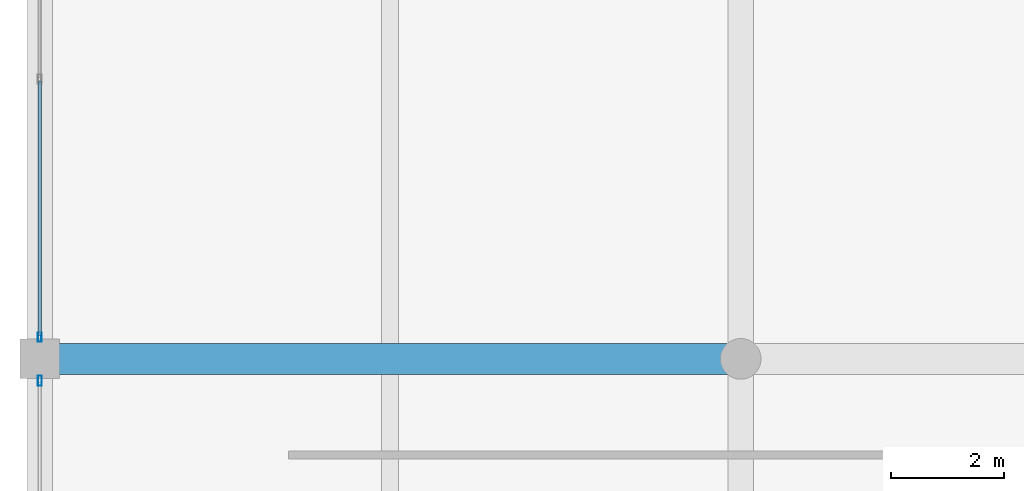
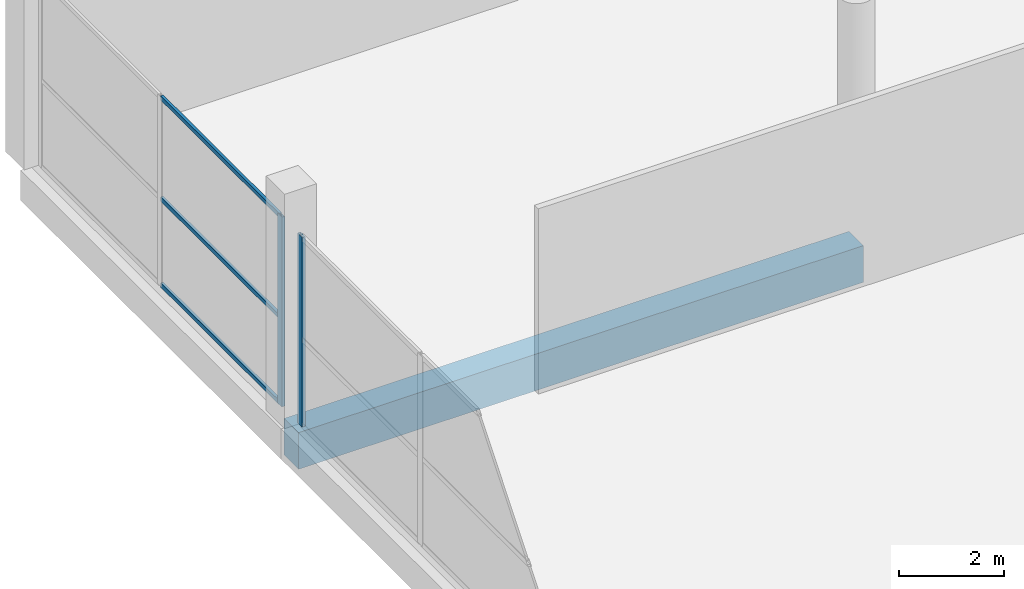
# One storey, part 27 of 74: 5 members, 1 beam, 2 elements without a shape of their own.
"""IFC4 building model written with IfcOpenShell, lengths in metres."""

from ifc_helpers import new_model, si_unit, direction, frame, origin, origin_2d, place, context, subcontext, project, spatial, rectangle, hollow_rectangle, extrude, material, layer, layer_set, material_profile, profile_set, type_object, element, aggregate, save


model = new_model("IFC4")

# Units and contexts
model_context = context("Model", 3, precision=1e-05, world=origin(), true_north=direction((0.0, 1.0)))
body_context = subcontext(model_context, "Body", "Model", "MODEL_VIEW")
ifc_project = project(units=[si_unit("LENGTHUNIT", "METRE"), si_unit("AREAUNIT", "SQUARE_METRE"), si_unit("VOLUMEUNIT", "CUBIC_METRE"), si_unit("PLANEANGLEUNIT", "RADIAN"), si_unit("MASSUNIT", "GRAM", prefix="KILO")], contexts=[model_context])

# Site, building, storey
site_placement = place(None, origin())
site = spatial("IfcSite", under=ifc_project, at=site_placement, CompositionType="ELEMENT")
building_placement = place(site_placement, origin())
building = spatial("IfcBuilding", under=site, at=building_placement, Name="Sillaruma Civic Art Gallery", CompositionType="ELEMENT")
storey_placement = place(building_placement, frame((0.0, 0.0, 5.43994140625)))
storey = spatial("IfcBuildingStorey", under=building, at=storey_placement, Name="L01", CompositionType="ELEMENT", Elevation=5.43994140625)

# Beam
ifc_material_1 = material(Name="Concrete H40 (40 MPa)", Category="concrete")
ifc_material_profile_1 = material_profile(ifc_material_1, rectangle(XDim=0.550048828125, YDim=0.85009765625, at=origin_2d()), Name="RCB550x850")
ifc_profile_set_1 = profile_set([ifc_material_profile_1], Name="Concrete H40 (40 MPa)")
beam_type = type_object("IfcBeamType", Name="BM-BEAM-RCB550x850", PredefinedType="BEAM", material=ifc_profile_set_1)
beam_placement = place(storey_placement, frame((0.0, 108.89990234375, -0.68505859375), z_axis=(1.0, 0.0, 0.0), x_axis=(0.0, 1.0, 0.0)))
element("IfcBeam", 1, at=beam_placement, inside=storey, type_object=beam_type, Name="Beam BM-01 (L00:12:A-B)", PredefinedType="BEAM", context=body_context, shape_type="SweptSolid", body=[
    extrude(rectangle(XDim=0.550048828125, YDim=0.85009765625, at=origin_2d()), origin(), (0.0, 0.0, 1.0), 12.39990234375),
])

# Curtain wall, member
ifc_material_2 = material(Name="Thermally Broken Extruded Aluminium 6063-T6", Category="aluminium")
ifc_layer_1 = layer(ifc_material_2, 0.159912109375, Name="Thermally Broken Extruded Aluminium 6063-T6")
ifc_layer_set_1 = layer_set([ifc_layer_1], Name="Thermally Broken Extruded Aluminium 6063-T6")
curtain_wall_type_1 = type_object("IfcCurtainWallType", Name="CW-UNI-10", PredefinedType="NOTDEFINED", material=ifc_layer_set_1)
curtain_wall_1_placement = place(storey_placement, origin())
curtain_wall_1 = element("IfcCurtainWall", 2, at=curtain_wall_1_placement, inside=storey, type_object=curtain_wall_type_1, Name="Unitised Curtain Wall CW-10 (CW-L01-WSTR-4)", PredefinedType="NOTDEFINED")
ifc_material_profile_2 = material_profile(ifc_material_2, hollow_rectangle(XDim=0.06494140625, YDim=0.159912109375, WallThickness=0.00390625, at=origin_2d()), Name="CWM65x160")
ifc_profile_set_2 = profile_set([ifc_material_profile_2], Name="Thermally Broken Extruded Aluminium 6063-T6")
member_type_1 = type_object("IfcMemberType", Name="MEM-MUL-CWM65x160", PredefinedType="MULLION", material=ifc_profile_set_2)
member_1_placement = place(storey_placement, frame((0.0, 109.282470703125, 0.0), z_axis=(0.0, 0.0, 1.0), x_axis=(-1.0, 0.0, 0.0)))
member_1 = element("IfcMember", 3, at=member_1_placement, type_object=member_type_1, Name="CW-10 mullion 1", PredefinedType="MULLION", context=body_context, shape_type="SweptSolid", body=[
    extrude(hollow_rectangle(XDim=0.06494140625, YDim=0.159912109375, WallThickness=0.00390625, at=origin_2d()), origin(), (0.0, 0.0, 1.0), 4.400146484375),
])

ifc_layer_2 = layer(ifc_material_2, 0.179931640625, Name="Thermally Broken Extruded Aluminium 6063-T6")
ifc_layer_set_2 = layer_set([ifc_layer_2], Name="Thermally Broken Extruded Aluminium 6063-T6")
curtain_wall_type_2 = type_object("IfcCurtainWallType", Name="CW-UNI-09", PredefinedType="NOTDEFINED", material=ifc_layer_set_2)
curtain_wall_2_placement = place(storey_placement, origin())
curtain_wall_2 = element("IfcCurtainWall", 4, at=curtain_wall_2_placement, inside=storey, type_object=curtain_wall_type_2, Name="Unitised Curtain Wall CW-09 (CW-L01-WSTR-3)", PredefinedType="NOTDEFINED")
ifc_material_profile_3 = material_profile(ifc_material_2, hollow_rectangle(XDim=0.070068359375, YDim=0.179931640625, WallThickness=0.00390625, at=origin_2d()), Name="CWM70x180")
ifc_profile_set_3 = profile_set([ifc_material_profile_3], Name="Thermally Broken Extruded Aluminium 6063-T6")
member_type_2 = type_object("IfcMemberType", Name="MEM-MUL-CWM70x180", PredefinedType="MULLION", material=ifc_profile_set_3)
member_2_placement = place(storey_placement, frame((0.0, 108.514892578125, 0.0), z_axis=(0.0, 0.0, 1.0), x_axis=(-1.0, 0.0, 0.0)))
member_2 = element("IfcMember", 5, at=member_2_placement, type_object=member_type_2, Name="CW-09 mullion 3", PredefinedType="MULLION", context=body_context, shape_type="SweptSolid", body=[
    extrude(hollow_rectangle(XDim=0.070068359375, YDim=0.179931640625, WallThickness=0.00390625, at=origin_2d()), origin(), (0.0, 0.0, 1.0), 4.400146484375),
])
aggregate(curtain_wall_2, [member_2])

# Member
ifc_material_profile_4 = material_profile(ifc_material_2, hollow_rectangle(XDim=0.06005859375, YDim=0.10009765625, WallThickness=0.003173828125, at=origin_2d()), Name="CWT60x100")
ifc_profile_set_4 = profile_set([ifc_material_profile_4], Name="Thermally Broken Extruded Aluminium 6063-T6")
member_type_3 = type_object("IfcMemberType", Name="MEM-TRN-CWT60x100", PredefinedType="USERDEFINED", material=ifc_profile_set_4)
member_3_placement = place(storey_placement, frame((0.0, 109.31494140625, 0.030029296875), z_axis=(0.0, 1.0, 0.0), x_axis=(-1.0, 0.0, 0.0)))
member_3 = element("IfcMember", 6, at=member_3_placement, type_object=member_type_3, Name="CW-10 transom 1.1", ObjectType="TRANSOM", PredefinedType="USERDEFINED", context=body_context, shape_type="SweptSolid", body=[
    extrude(hollow_rectangle(XDim=0.06005859375, YDim=0.10009765625, WallThickness=0.003173828125, at=origin_2d()), origin(), (0.0, 0.0, 1.0), 4.50244140625),
])

member_4_placement = place(storey_placement, frame((0.0, 109.31494140625, 2.024169921875), z_axis=(0.0, 1.0, 0.0), x_axis=(-1.0, 0.0, 0.0)))
member_4 = element("IfcMember", 7, at=member_4_placement, type_object=member_type_3, Name="CW-10 transom 1.2", ObjectType="TRANSOM", PredefinedType="USERDEFINED", context=body_context, shape_type="SweptSolid", body=[
    extrude(hollow_rectangle(XDim=0.06005859375, YDim=0.10009765625, WallThickness=0.003173828125, at=origin_2d()), origin(), (0.0, 0.0, 1.0), 4.50244140625),
])

member_5_placement = place(storey_placement, frame((0.0, 109.31494140625, 4.3701171875), z_axis=(0.0, 1.0, 0.0), x_axis=(-1.0, 0.0, 0.0)))
member_5 = element("IfcMember", 8, at=member_5_placement, type_object=member_type_3, Name="CW-10 transom 1.3", ObjectType="TRANSOM", PredefinedType="USERDEFINED", context=body_context, shape_type="SweptSolid", body=[
    extrude(hollow_rectangle(XDim=0.06005859375, YDim=0.10009765625, WallThickness=0.003173828125, at=origin_2d()), origin(), (0.0, 0.0, 1.0), 4.50244140625),
])

aggregate(curtain_wall_1, [member_1, member_3, member_4, member_5])

save(model, "model.ifc")
